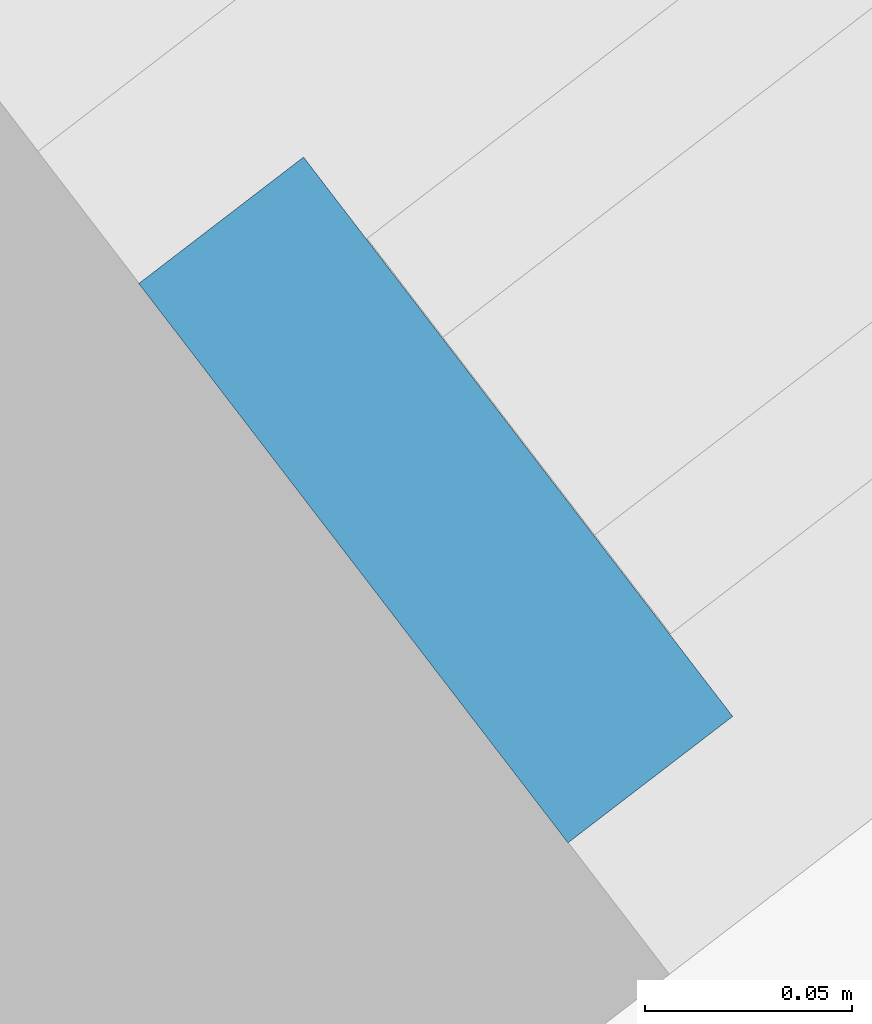
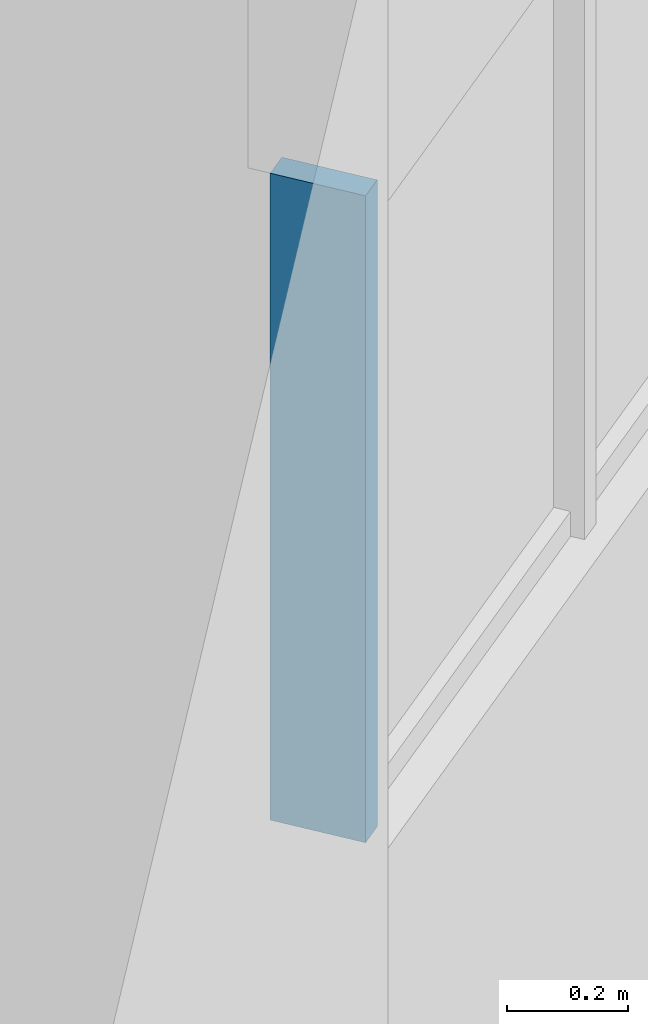
# One storey, part 21 of 65: 1 member, 1 element without a shape of its own.
"""IFC4 building model written with IfcOpenShell, lengths in metres."""

from ifc_helpers import new_model, si_unit, direction, frame, origin, origin_2d, place, context, subcontext, project, spatial, rectangle, extrude, material, layer, layer_set, material_profile, profile_set, type_object, element, aggregate, save


model = new_model("IFC4")

# Units and contexts
model_context = context("Model", 3, precision=1e-05, world=origin(), true_north=direction((0.0, 1.0)))
body_context = subcontext(model_context, "Body", "Model", "MODEL_VIEW")
ifc_project = project(units=[si_unit("LENGTHUNIT", "METRE"), si_unit("AREAUNIT", "SQUARE_METRE"), si_unit("VOLUMEUNIT", "CUBIC_METRE"), si_unit("PLANEANGLEUNIT", "RADIAN"), si_unit("MASSUNIT", "GRAM", prefix="KILO")], contexts=[model_context])

# Site, building, storey
site_placement = place(None, origin())
site = spatial("IfcSite", under=ifc_project, at=site_placement, CompositionType="ELEMENT")
building_placement = place(site_placement, origin())
building = spatial("IfcBuilding", under=site, at=building_placement, Name="Volute Hill Aquarium", CompositionType="ELEMENT")
storey_placement = place(building_placement, frame((0.0, 0.0, -5.5)))
storey = spatial("IfcBuildingStorey", under=building, at=storey_placement, Name="L00", CompositionType="ELEMENT", Elevation=-5.5)

# Curtain wall, member
ifc_material_1 = material(Name="Aluminium", Category="aluminium")
ifc_layer = layer(ifc_material_1, 0.25)
ifc_layer_set = layer_set([ifc_layer], Name="Curtain wall niche S6 module 967")
curtain_wall_type = type_object("IfcCurtainWallType", Name="Curtain wall niche S6 module 967", PredefinedType="NOTDEFINED", material=ifc_layer_set)
curtain_wall_placement = place(storey_placement, origin())
curtain_wall = element("IfcCurtainWall", 1, at=curtain_wall_placement, inside=storey, type_object=curtain_wall_type, Name="Curtain wall CW S6 L00 7", PredefinedType="NOTDEFINED")
ifc_material_2 = material(Name="Aluminium", Category="aluminium")
ifc_material_profile = material_profile(ifc_material_2, rectangle(XDim=0.169921875, YDim=0.050048828125, at=origin_2d()), Name="Curtain wall mullion S6 50x170")
ifc_profile_set = profile_set([ifc_material_profile], Name="Aluminium")
member_type = type_object("IfcMemberType", Name="Curtain wall mullion S6 50x170", PredefinedType="MULLION", material=ifc_profile_set)
member_placement = place(storey_placement, frame((-31.9013671875, 40.027099609375, 3.64990234375), z_axis=(0.0, 0.0, 1.0), x_axis=(0.608768681127, -0.793347775493, 0.0)))
member = element("IfcMember", 2, at=member_placement, type_object=member_type, Name="CW mullion 3", PredefinedType="MULLION", context=body_context, shape_type="SweptSolid", body=[
    extrude(rectangle(XDim=0.169921875, YDim=0.050048828125, at=origin_2d()), origin(), (0.0, 0.0, 1.0), 1.300048828125),
])
aggregate(curtain_wall, [member])

save(model, "model.ifc")
